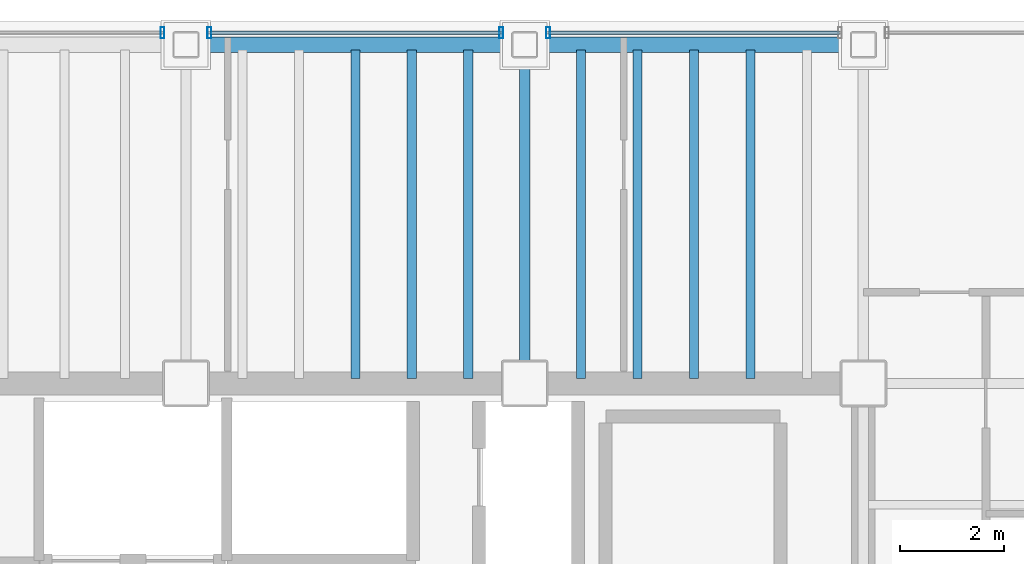
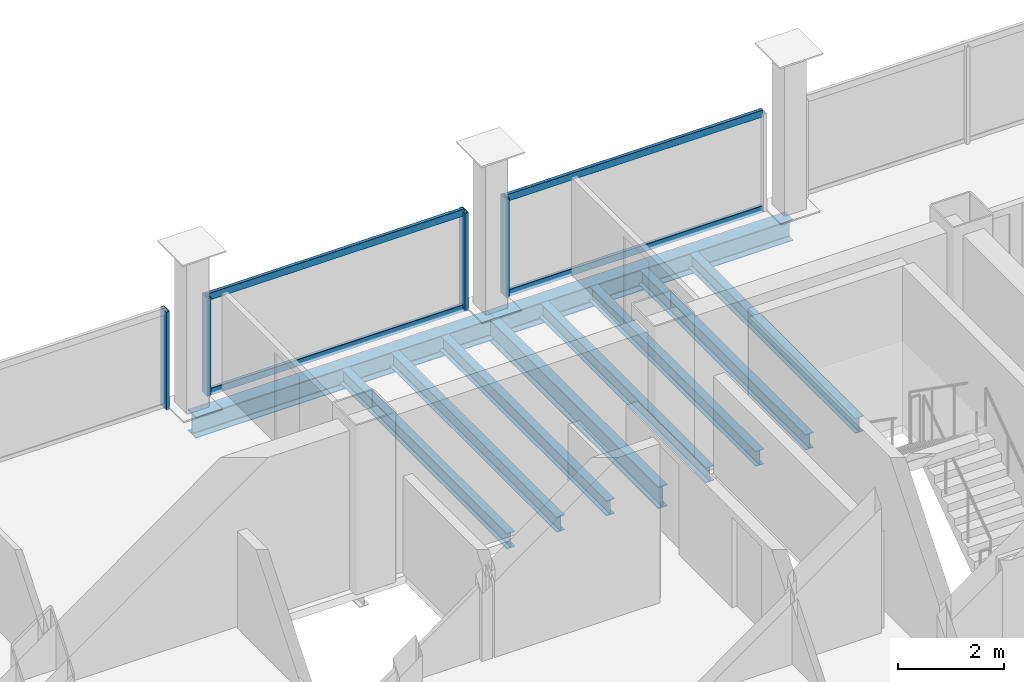
# One storey, part 9 of 16: 10 beams, 8 members, 3 elements without a shape of their own.
"""IFC4 building model written with IfcOpenShell, lengths in metres."""

from ifc_helpers import new_model, si_unit, direction, frame, origin, origin_2d, place, context, subcontext, project, spatial, hollow_rectangle, i_section, extrude, material, material_profile, profile_set, type_object, element, aggregate, save


model = new_model("IFC4")

# Units and contexts
model_context = context("Model", 3, precision=1e-05, world=origin(), true_north=direction((0.0, 1.0)))
body_context = subcontext(model_context, "Body", "Model", "MODEL_VIEW")
ifc_project = project(units=[si_unit("LENGTHUNIT", "METRE"), si_unit("AREAUNIT", "SQUARE_METRE"), si_unit("VOLUMEUNIT", "CUBIC_METRE"), si_unit("PLANEANGLEUNIT", "RADIAN"), si_unit("MASSUNIT", "GRAM", prefix="KILO")], contexts=[model_context])

# Site, building, storey
site_placement = place(None, origin())
site = spatial("IfcSite", under=ifc_project, at=site_placement, CompositionType="ELEMENT")
building_placement = place(site_placement, origin())
building = spatial("IfcBuilding", under=site, at=building_placement, Name="Noeulbin Bourse Tower", CompositionType="ELEMENT")
storey_placement = place(building_placement, frame((0.0, 0.0, 192.89990234375)))
storey = spatial("IfcBuildingStorey", under=building, at=storey_placement, Name="L48", CompositionType="ELEMENT", Elevation=192.89990234375)

# Beams
ifc_material_1 = material(Name="Steel S355", Category="steel")
ifc_material_profile_1 = material_profile(ifc_material_1, i_section(OverallWidth=0.199951171875, OverallDepth=0.5, WebThickness=0.010009765625, FlangeThickness=0.01611328125, FilletRadius=0.02001953125, at=origin_2d()), Name="H-500x200x10x16", Category="LoadBearing")
ifc_profile_set_1 = profile_set([ifc_material_profile_1], Name="Steel S355")
beam_type_1 = type_object("IfcBeamType", Name="BM-GRD-500", PredefinedType="USERDEFINED", material=ifc_profile_set_1)
beam_placement = place(storey_placement, frame((37.5, 38.300048828125, -0.429931640625), z_axis=(0.0, 1.0, 0.0), x_axis=(-1.0, 0.0, 0.0)))
element("IfcBeam", 1, at=beam_placement, inside=storey, type_object=beam_type_1, Name="Tower Primary Girder NS L48-4.4", ObjectType="GIRDER", PredefinedType="USERDEFINED", context=body_context, shape_type="SweptSolid", body=[
    extrude(i_section(OverallWidth=0.199951171875, OverallDepth=0.5, WebThickness=0.010009765625, FlangeThickness=0.01611328125, FilletRadius=0.02001953125, at=origin_2d()), origin(), (0.0, 0.0, 1.0), 6.5),
])
ifc_material_profile_2 = material_profile(ifc_material_1, i_section(OverallWidth=0.175048828125, OverallDepth=0.35009765625, WebThickness=0.007080078125, FlangeThickness=0.010986328125, FilletRadius=0.013916015625, at=origin_2d()), Name="H-350x175x7x11", Category="LoadBearing")
ifc_profile_set_2 = profile_set([ifc_material_profile_2], Name="Steel S355")
beam_type_2 = type_object("IfcBeamType", Name="BM-JST-350", PredefinedType="JOIST", material=ifc_profile_set_2)
for number, where, z_axis, x_axis, name in (
    (2, (34.25, 38.39990234375, -0.35498046875), (0.0, 1.0, 0.0), (-1.0, 0.0, 0.0), "Tower Composite Joist L48-45"),
    (3, (35.333251953125, 38.39990234375, -0.35498046875), (0.0, 1.0, 0.0), (-1.0, 0.0, 0.0), "Tower Composite Joist L48-48"),
    (4, (36.416748046875, 38.39990234375, -0.35498046875), (0.0, 1.0, 0.0), (-1.0, 0.0, 0.0), "Tower Composite Joist L48-51"),
    (5, (38.583251953125, 38.39990234375, -0.35498046875), (0.0, 1.0, 0.0), (-1.0, 0.0, 0.0), "Tower Composite Joist L48-54"),
    (6, (39.666748046875, 38.39990234375, -0.35498046875), (0.0, 1.0, 0.0), (-1.0, 0.0, 0.0), "Tower Composite Joist L48-57"),
    (7, (40.75, 38.39990234375, -0.35498046875), (0.0, 1.0, 0.0), (-1.0, 0.0, 0.0), "Tower Composite Joist L48-60"),
    (8, (41.833251953125, 38.39990234375, -0.35498046875), (0.0, 1.0, 0.0), (-1.0, 0.0, 0.0), "Tower Composite Joist L48-63"),
):
    element("IfcBeam", number, at=place(storey_placement, frame(where, z_axis=z_axis, x_axis=x_axis)), inside=storey, type_object=beam_type_2, Name=name, PredefinedType="JOIST", context=body_context, shape_type="SweptSolid", body=[
        extrude(i_section(OverallWidth=0.175048828125, OverallDepth=0.35009765625, WebThickness=0.007080078125, FlangeThickness=0.010986328125, FilletRadius=0.013916015625, at=origin_2d()), origin(), (0.0, 0.0, 1.0), 6.300048828125),
    ])
ifc_material_profile_3 = material_profile(ifc_material_1, i_section(OverallWidth=0.300048828125, OverallDepth=0.488037109375, WebThickness=0.010986328125, FlangeThickness=0.01806640625, FilletRadius=0.02197265625, at=origin_2d()), Name="H-488x300x11x18", Category="LoadBearing")
ifc_profile_set_3 = profile_set([ifc_material_profile_3], Name="Steel S355")
beam_type_3 = type_object("IfcBeamType", Name="BM-SPN-488", PredefinedType="SPANDREL", material=ifc_profile_set_3)
for number, where, z_axis, x_axis, name in (
    (9, (31.0, 44.800048828125, -0.423828125), (1.0, 0.0, 0.0), (0.0, 1.0, 0.0), "North Spandrel L48-3"),
    (10, (37.5, 44.800048828125, -0.423828125), (1.0, 0.0, 0.0), (0.0, 1.0, 0.0), "North Spandrel L48-4"),
):
    element("IfcBeam", number, at=place(storey_placement, frame(where, z_axis=z_axis, x_axis=x_axis)), inside=storey, type_object=beam_type_3, Name=name, PredefinedType="SPANDREL", context=body_context, shape_type="SweptSolid", body=[
        extrude(i_section(OverallWidth=0.300048828125, OverallDepth=0.488037109375, WebThickness=0.010986328125, FlangeThickness=0.01806640625, FilletRadius=0.02197265625, at=origin_2d()), origin(), (0.0, 0.0, 1.0), 6.5),
    ])

# Curtain wall, member
ifc_material_2 = material(Name="Dark Tinted Triple Glazing", Category="glass")
curtain_wall_type = type_object("IfcCurtainWallType", Name="CW-SYS-3", PredefinedType="NOTDEFINED", material=ifc_material_2)
curtain_wall_1_placement = place(storey_placement, origin())
curtain_wall_1 = element("IfcCurtainWall", 11, at=curtain_wall_1_placement, inside=storey, type_object=curtain_wall_type, Name="Unitised Curtain Wall CW-L48-N-S2", PredefinedType="NOTDEFINED")
ifc_material_3 = material(Name="Anodised Aluminium 6063-T6", Category="aluminium")
ifc_material_profile_4 = material_profile(ifc_material_3, hollow_rectangle(XDim=0.074951171875, YDim=0.219970703125, WallThickness=0.0048828125, InnerFilletRadius=0.00244140625, OuterFilletRadius=0.0048828125, at=origin_2d()), Name="ALU-MULL-75x220x5", Category="LoadBearing")
ifc_profile_set_4 = profile_set([ifc_material_profile_4], Name="Anodised Aluminium 6063-T6")
member_type_1 = type_object("IfcMemberType", Name="CW-SYS-3-MUL", PredefinedType="MULLION", material=ifc_profile_set_4)
member_1_placement = place(storey_placement, frame((30.550048828125, 45.030029296875, -0.02001953125), z_axis=(0.0, 0.0, 1.0), x_axis=(1.0, 0.0, 0.0)))
member_1 = element("IfcMember", 12, at=member_1_placement, type_object=member_type_1, Name="Curtain Wall Mullion CW-L48-N-S2-M01", PredefinedType="MULLION", context=body_context, shape_type="SweptSolid", body=[
    extrude(hollow_rectangle(XDim=0.074951171875, YDim=0.219970703125, WallThickness=0.0048828125, InnerFilletRadius=0.00244140625, OuterFilletRadius=0.0048828125, at=origin_2d()), origin(), (0.0, 0.0, 1.0), 2.260009765625),
])
aggregate(curtain_wall_1, [member_1])

# Curtain wall, members
curtain_wall_2_placement = place(storey_placement, origin())
curtain_wall_2 = element("IfcCurtainWall", 13, at=curtain_wall_2_placement, inside=storey, type_object=curtain_wall_type, Name="Unitised Curtain Wall CW-L48-N-S3", PredefinedType="NOTDEFINED")
member_2_placement = place(storey_placement, frame((31.449951171875, 45.030029296875, -0.02001953125), z_axis=(0.0, 0.0, 1.0), x_axis=(1.0, 0.0, 0.0)))
member_2 = element("IfcMember", 14, at=member_2_placement, type_object=member_type_1, Name="Curtain Wall Mullion CW-L48-N-S3-M00", PredefinedType="MULLION", context=body_context, shape_type="SweptSolid", body=[
    extrude(hollow_rectangle(XDim=0.074951171875, YDim=0.219970703125, WallThickness=0.0048828125, InnerFilletRadius=0.00244140625, OuterFilletRadius=0.0048828125, at=origin_2d()), origin(), (0.0, 0.0, 1.0), 2.260009765625),
])
member_3_placement = place(storey_placement, frame((37.050048828125, 45.030029296875, -0.02001953125), z_axis=(0.0, 0.0, 1.0), x_axis=(1.0, 0.0, 0.0)))
member_3 = element("IfcMember", 15, at=member_3_placement, type_object=member_type_1, Name="Curtain Wall Mullion CW-L48-N-S3-M01", PredefinedType="MULLION", context=body_context, shape_type="SweptSolid", body=[
    extrude(hollow_rectangle(XDim=0.074951171875, YDim=0.219970703125, WallThickness=0.0048828125, InnerFilletRadius=0.00244140625, OuterFilletRadius=0.0048828125, at=origin_2d()), origin(), (0.0, 0.0, 1.0), 2.260009765625),
])

# Curtain wall, member
curtain_wall_3_placement = place(storey_placement, origin())
curtain_wall_3 = element("IfcCurtainWall", 16, at=curtain_wall_3_placement, inside=storey, type_object=curtain_wall_type, Name="Unitised Curtain Wall CW-L48-N-S4", PredefinedType="NOTDEFINED")
member_4_placement = place(storey_placement, frame((37.949951171875, 45.030029296875, -0.02001953125), z_axis=(0.0, 0.0, 1.0), x_axis=(1.0, 0.0, 0.0)))
member_4 = element("IfcMember", 17, at=member_4_placement, type_object=member_type_1, Name="Curtain Wall Mullion CW-L48-N-S4-M00", PredefinedType="MULLION", context=body_context, shape_type="SweptSolid", body=[
    extrude(hollow_rectangle(XDim=0.074951171875, YDim=0.219970703125, WallThickness=0.0048828125, InnerFilletRadius=0.00244140625, OuterFilletRadius=0.0048828125, at=origin_2d()), origin(), (0.0, 0.0, 1.0), 2.260009765625),
])

# Member
ifc_material_profile_5 = material_profile(ifc_material_3, hollow_rectangle(XDim=0.074951171875, YDim=0.159912109375, WallThickness=0.0048828125, InnerFilletRadius=0.00244140625, OuterFilletRadius=0.0048828125, at=origin_2d()), Name="ALU-TRAN-75x160x5", Category="LoadBearing")
ifc_profile_set_5 = profile_set([ifc_material_profile_5], Name="Anodised Aluminium 6063-T6")
member_type_2 = type_object("IfcMemberType", Name="CW-SYS-3-TRN", PredefinedType="USERDEFINED", material=ifc_profile_set_5)
member_5_placement = place(storey_placement, frame((31.4599609375, 45.030029296875, 0.010009765625), z_axis=(1.0, 0.0, 0.0), x_axis=(0.0, 1.0, 0.0)))
member_5 = element("IfcMember", 18, at=member_5_placement, type_object=member_type_2, Name="Curtain Wall Transom CW-L48-N-S3-T00", ObjectType="TRANSOM", PredefinedType="USERDEFINED", context=body_context, shape_type="SweptSolid", body=[
    extrude(hollow_rectangle(XDim=0.074951171875, YDim=0.159912109375, WallThickness=0.0048828125, InnerFilletRadius=0.00244140625, OuterFilletRadius=0.0048828125, at=origin_2d()), origin(), (0.0, 0.0, 1.0), 5.580078125),
])

member_6_placement = place(storey_placement, frame((31.4599609375, 45.030029296875, 2.210205078125), z_axis=(1.0, 0.0, 0.0), x_axis=(0.0, 1.0, 0.0)))
member_6 = element("IfcMember", 19, at=member_6_placement, type_object=member_type_2, Name="Curtain Wall Transom CW-L48-N-S3-T01", ObjectType="TRANSOM", PredefinedType="USERDEFINED", context=body_context, shape_type="SweptSolid", body=[
    extrude(hollow_rectangle(XDim=0.074951171875, YDim=0.159912109375, WallThickness=0.0048828125, InnerFilletRadius=0.00244140625, OuterFilletRadius=0.0048828125, at=origin_2d()), origin(), (0.0, 0.0, 1.0), 5.580078125),
])

aggregate(curtain_wall_2, [member_2, member_3, member_5, member_6])

member_7_placement = place(storey_placement, frame((37.9599609375, 45.030029296875, 0.010009765625), z_axis=(1.0, 0.0, 0.0), x_axis=(0.0, 1.0, 0.0)))
member_7 = element("IfcMember", 20, at=member_7_placement, type_object=member_type_2, Name="Curtain Wall Transom CW-L48-N-S4-T00", ObjectType="TRANSOM", PredefinedType="USERDEFINED", context=body_context, shape_type="SweptSolid", body=[
    extrude(hollow_rectangle(XDim=0.074951171875, YDim=0.159912109375, WallThickness=0.0048828125, InnerFilletRadius=0.00244140625, OuterFilletRadius=0.0048828125, at=origin_2d()), origin(), (0.0, 0.0, 1.0), 5.580078125),
])

member_8_placement = place(storey_placement, frame((37.9599609375, 45.030029296875, 2.210205078125), z_axis=(1.0, 0.0, 0.0), x_axis=(0.0, 1.0, 0.0)))
member_8 = element("IfcMember", 21, at=member_8_placement, type_object=member_type_2, Name="Curtain Wall Transom CW-L48-N-S4-T01", ObjectType="TRANSOM", PredefinedType="USERDEFINED", context=body_context, shape_type="SweptSolid", body=[
    extrude(hollow_rectangle(XDim=0.074951171875, YDim=0.159912109375, WallThickness=0.0048828125, InnerFilletRadius=0.00244140625, OuterFilletRadius=0.0048828125, at=origin_2d()), origin(), (0.0, 0.0, 1.0), 5.580078125),
])

aggregate(curtain_wall_3, [member_4, member_7, member_8])

save(model, "model.ifc")
